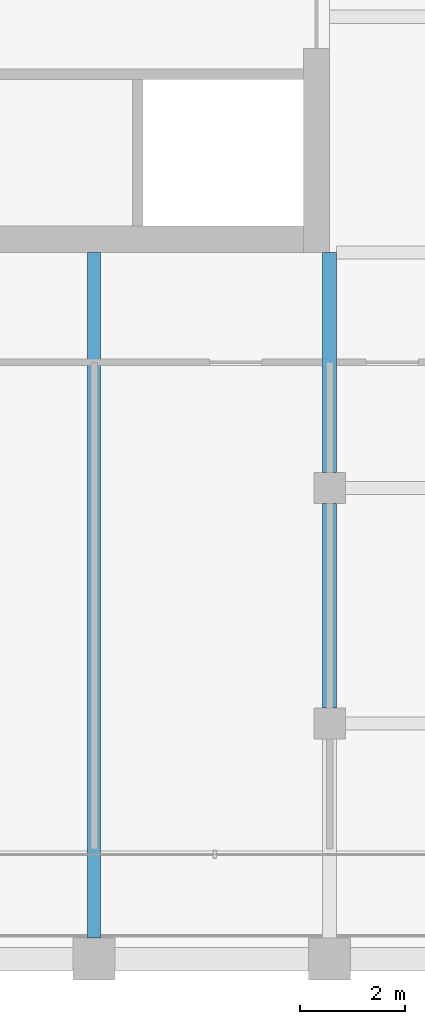
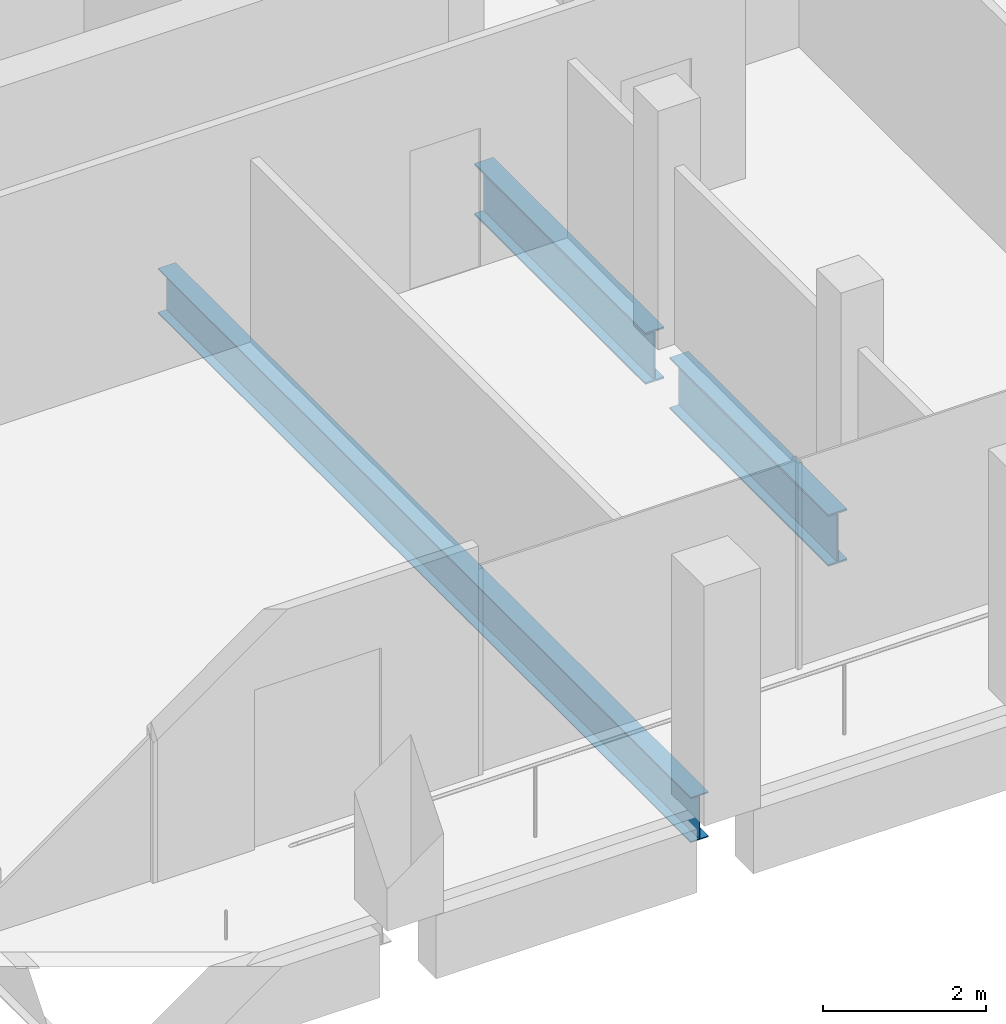
# One storey, part 10 of 30: 3 beams.
"""IFC4 building model written with IfcOpenShell, lengths in metres."""

from ifc_helpers import new_model, si_unit, direction, frame, origin, origin_2d, place, context, subcontext, project, spatial, i_section, extrude, material, material_profile, profile_set, type_object, element, save


model = new_model("IFC4")

# Units and contexts
model_context = context("Model", 3, precision=1e-05, world=origin(), true_north=direction((0.0, 1.0)))
body_context = subcontext(model_context, "Body", "Model", "MODEL_VIEW")
ifc_project = project(units=[si_unit("LENGTHUNIT", "METRE"), si_unit("AREAUNIT", "SQUARE_METRE"), si_unit("VOLUMEUNIT", "CUBIC_METRE"), si_unit("PLANEANGLEUNIT", "RADIAN"), si_unit("MASSUNIT", "GRAM", prefix="KILO")], contexts=[model_context])

# Site, building, storey
site_placement = place(None, origin())
site = spatial("IfcSite", under=ifc_project, at=site_placement, CompositionType="ELEMENT")
building_placement = place(site_placement, origin())
building = spatial("IfcBuilding", under=site, at=building_placement, Name="Altepetl Exchange Towers", CompositionType="ELEMENT")
storey_placement = place(building_placement, frame((0.0, 0.0, 217.199951171875)))
storey = spatial("IfcBuildingStorey", under=building, at=storey_placement, Name="L55", CompositionType="ELEMENT", Elevation=217.199951171875)

# Beams
ifc_material = material(Name="Steel S355", Category="steel")
ifc_material_profile_1 = material_profile(ifc_material, i_section(OverallWidth=0.2529296875, OverallDepth=0.677978515625, WebThickness=0.01171875, FlangeThickness=0.016357421875, at=origin_2d()), Name="W27X84")
ifc_profile_set_1 = profile_set([ifc_material_profile_1], Name="Steel S355")
beam_type_1 = type_object("IfcBeamType", Name="Floor beam W27X84", PredefinedType="BEAM", material=ifc_profile_set_1)
beam_1_placement = place(storey_placement, frame((54.0, 27.39990234375, -0.489013671875), z_axis=(0.0, 1.0, 0.0), x_axis=(-1.0, 0.0, 0.0)))
element("IfcBeam", 1, at=beam_1_placement, inside=storey, type_object=beam_type_1, Name="bm:A:L55:017", PredefinedType="BEAM", context=body_context, shape_type="SweptSolid", body=[
    extrude(i_section(OverallWidth=0.2529296875, OverallDepth=0.677978515625, WebThickness=0.01171875, FlangeThickness=0.016357421875, at=origin_2d()), origin(), (0.0, 0.0, 1.0), 13.10009765625),
])
ifc_material_profile_2 = material_profile(ifc_material, i_section(OverallWidth=0.26806640625, OverallDepth=0.77392578125, WebThickness=0.015380859375, FlangeThickness=0.025390625, at=origin_2d()), Name="W30X132")
ifc_profile_set_2 = profile_set([ifc_material_profile_2], Name="Steel S355")
beam_type_2 = type_object("IfcBeamType", Name="Girder W30X132", PredefinedType="BEAM", material=ifc_profile_set_2)
beam_2_placement = place(storey_placement, frame((58.5, 40.5, -0.536865234375), z_axis=(0.0, -1.0, 0.0), x_axis=(1.0, 0.0, 0.0)))
element("IfcBeam", 2, at=beam_2_placement, inside=storey, type_object=beam_type_2, Name="gd:A:L55:003", PredefinedType="BEAM", context=body_context, shape_type="SweptSolid", body=[
    extrude(i_section(OverallWidth=0.26806640625, OverallDepth=0.77392578125, WebThickness=0.015380859375, FlangeThickness=0.025390625, at=origin_2d()), origin(), (0.0, 0.0, 1.0), 4.199951171875),
])
beam_3_placement = place(storey_placement, frame((58.5, 35.699951171875, -0.536865234375), z_axis=(0.0, -1.0, 0.0), x_axis=(1.0, 0.0, 0.0)))
element("IfcBeam", 3, at=beam_3_placement, inside=storey, type_object=beam_type_2, Name="gd:A:L55:004", PredefinedType="BEAM", context=body_context, shape_type="SweptSolid", body=[
    extrude(i_section(OverallWidth=0.26806640625, OverallDepth=0.77392578125, WebThickness=0.015380859375, FlangeThickness=0.025390625, at=origin_2d()), origin(), (0.0, 0.0, 1.0), 3.89990234375),
])

save(model, "model.ifc")
